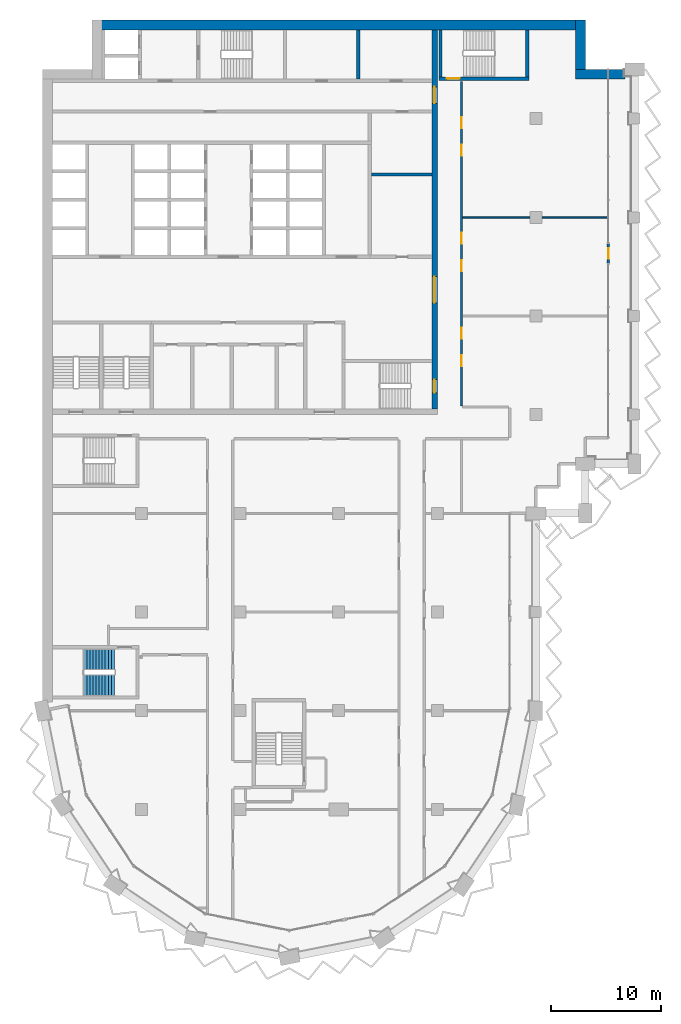
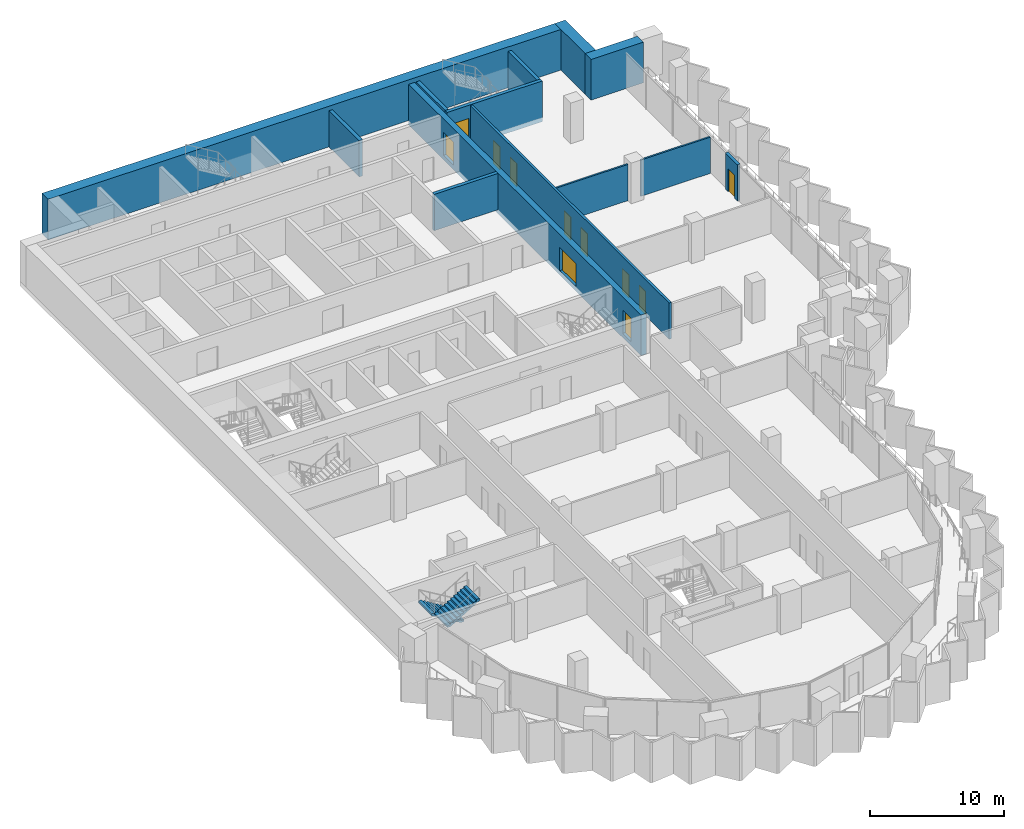
# One storey, part 11 of 17: 13 walls, 11 doors, 2 stair flights, 11 openings, 1 element without a shape of its own.
"""IFC4 building model written with IfcOpenShell, lengths in metres."""

from ifc_helpers import new_model, si_unit, direction, frame, frame_2d, origin, place, context, subcontext, project, spatial, polyline, rectangle, outline, extrude, material, layer, layer_set, type_object, element, fill, aggregate, save


model = new_model("IFC4")

# Units and contexts
model_context = context("Model", 3, precision=1e-05, world=origin(), true_north=direction((0.0, 1.0)))
body_context = subcontext(model_context, "Body", "Model", "MODEL_VIEW")
ifc_project = project(units=[si_unit("LENGTHUNIT", "METRE"), si_unit("AREAUNIT", "SQUARE_METRE"), si_unit("VOLUMEUNIT", "CUBIC_METRE"), si_unit("PLANEANGLEUNIT", "RADIAN"), si_unit("MASSUNIT", "GRAM", prefix="KILO")], contexts=[model_context])

# Site, building, storey
site_placement = place(None, origin())
site = spatial("IfcSite", under=ifc_project, at=site_placement, CompositionType="ELEMENT")
building_placement = place(site_placement, origin())
building = spatial("IfcBuilding", under=site, at=building_placement, Name="Hunhe Ridgeline Campus", CompositionType="ELEMENT")
storey_placement = place(building_placement, frame((0.0, 0.0, 186.5)))
storey = spatial("IfcBuildingStorey", under=building, at=storey_placement, Name="L47", CompositionType="ELEMENT", Elevation=186.5)

# Walls
ifc_material_1 = material(Name="Masonry concrete blockwork", Category="masonry")
ifc_layer_1 = layer(ifc_material_1, 0.300048828125)
ifc_layer_set_1 = layer_set([ifc_layer_1], Name="Core room partition 300 concrete block")
wall_type_1 = type_object("IfcWallType", Name="Core room partition 300 concrete block", PredefinedType="PARTITIONING", material=ifc_layer_set_1)
wall_1_placement = place(storey_placement, frame((30.0, 84.89990234375, 0.0), z_axis=(0.0, 0.0, 1.0), x_axis=(1.0, 0.0, 0.0)))
element("IfcWall", 1, at=wall_1_placement, inside=storey, type_object=wall_type_1, Name="L47 core partition 20", PredefinedType="PARTITIONING", context=body_context, shape_type="SweptSolid", body=[
    extrude(rectangle(XDim=5.5, YDim=0.300048828125, at=frame_2d((2.75, 0.0))), origin(), (0.0, 0.0, 1.0), 3.300048828125),
])
wall_2_placement = place(storey_placement, frame((28.800048828125, 93.60009765625, 0.0), z_axis=(0.0, 0.0, 1.0), x_axis=(0.0, 1.0, 0.0)))
element("IfcWall", 2, at=wall_2_placement, inside=storey, type_object=wall_type_1, Name="L47 core partition 52", PredefinedType="PARTITIONING", context=body_context, shape_type="SweptSolid", body=[
    extrude(rectangle(XDim=4.5, YDim=0.300048828125, at=frame_2d((2.25, 0.0))), origin(), (0.0, 0.0, 1.0), 3.300048828125),
])

# Wall, openings, doors
ifc_material_2 = material(Name="Concrete C60", Category="concrete")
ifc_layer_2 = layer(ifc_material_2, 0.5)
ifc_layer_set_2 = layer_set([ifc_layer_2], Name="Core wall 500 reinforced concrete C60")
wall_type_2 = type_object("IfcWallType", Name="Core wall 500 reinforced concrete C60", PredefinedType="SOLIDWALL", material=ifc_layer_set_2)
wall_3_placement = place(storey_placement, frame((35.75, 63.5, -0.39990234375), z_axis=(0.0, 0.0, 1.0), x_axis=(0.0, 1.0, 0.0)))
wall_3 = element("IfcWall", 3, at=wall_3_placement, inside=storey, type_object=wall_type_2, Name="L47 core wall 55", PredefinedType="SOLIDWALL", context=body_context, shape_type="SweptSolid", body=[
    extrude(rectangle(XDim=34.60009765625, YDim=0.5, at=frame_2d((17.300048828125, 0.0))), origin(), (0.0, 0.0, 1.0), 3.699951171875),
])
opening_1_placement = place(wall_3_placement, frame((9.699951171875, 0.0, 0.39990234375)))
opening_1 = element("IfcOpeningElement", 4, at=opening_1_placement, cuts=wall_3, Name="Opening CD4", PredefinedType="OPENING", context=body_context, shape_type="SweptSolid", body=[
    extrude(rectangle(XDim=2.39990234375, YDim=2.10009765625, at=frame_2d((1.199951171875, 1.050048828125))), frame((0.0, 0.25, 0.0), z_axis=(0.0, -1.0, 0.0), x_axis=(1.0, 0.0, 0.0)), (0.0, 0.0, 1.0), 0.5),
])
opening_2_placement = place(wall_3_placement, frame((27.89990234375, 0.0, 0.39990234375)))
opening_2 = element("IfcOpeningElement", 5, at=opening_2_placement, cuts=wall_3, Name="Opening CD5", PredefinedType="OPENING", context=body_context, shape_type="SweptSolid", body=[
    extrude(rectangle(XDim=1.5, YDim=2.10009765625, at=frame_2d((0.75, 1.050048828125))), frame((0.0, 0.25, 0.0), z_axis=(0.0, -1.0, 0.0), x_axis=(1.0, 0.0, 0.0)), (0.0, 0.0, 1.0), 0.5),
])
opening_3_placement = place(wall_3_placement, frame((1.5, 0.0, 0.39990234375)))
opening_3 = element("IfcOpeningElement", 6, at=opening_3_placement, cuts=wall_3, Name="Opening CD15", PredefinedType="OPENING", context=body_context, shape_type="SweptSolid", body=[
    extrude(rectangle(XDim=1.199951171875, YDim=2.10009765625, at=frame_2d((0.60009765625, 1.050048828125))), frame((0.0, 0.25, 0.0), z_axis=(0.0, -1.0, 0.0), x_axis=(1.0, 0.0, 0.0)), (0.0, 0.0, 1.0), 0.5),
])
ifc_material_3 = material(Name="Anodised aluminium and glass", Category="aluminium")
door_type_1 = type_object("IfcDoorType", Name="Glazed double door 2400x2100", OperationType="DOUBLE_DOOR_SINGLE_SWING", PredefinedType="DOOR", material=ifc_material_3)
door_1_placement = place(opening_1_placement, frame((2.39990234375, 0.0, 0.0), z_axis=(0.0, 0.0, 1.0), x_axis=(-1.0, 0.0, 0.0)))
door_1 = element("IfcDoor", 7, at=door_1_placement, inside=storey, type_object=door_type_1, Name="L47 door HALL-FLOOR", OperationType="DOUBLE_DOOR_SINGLE_SWING", OverallHeight=2.10009765625, OverallWidth=2.39990234375, PredefinedType="DOOR", context=body_context, shape_type="SweptSolid", body=[
    extrude(rectangle(XDim=2.39990234375, YDim=2.10009765625, at=frame_2d((1.199951171875, 1.050048828125))), frame((0.0, 0.02490234375, 0.0), z_axis=(0.0, -1.0, 0.0), x_axis=(1.0, 0.0, 0.0)), (0.0, 0.0, 1.0), 0.050048828125),
])
fill(opening_1, door_1)
ifc_material_4 = material(Name="Hollow metal fire door leaf")
door_type_2 = type_object("IfcDoorType", Name="Stair door 1200x2100 FD60", OperationType="SINGLE_SWING_LEFT", PredefinedType="DOOR", material=ifc_material_4)
door_2_placement = place(opening_3_placement, frame((1.199951171875, 0.0, 0.0), z_axis=(0.0, 0.0, 1.0), x_axis=(-1.0, 0.0, 0.0)))
door_2 = element("IfcDoor", 8, at=door_2_placement, inside=storey, type_object=door_type_2, Name="L47 door S2-FLOOR", OperationType="SINGLE_SWING_LEFT", OverallHeight=2.10009765625, OverallWidth=1.199951171875, PredefinedType="DOOR", context=body_context, shape_type="SweptSolid", body=[
    extrude(rectangle(XDim=1.199951171875, YDim=2.10009765625, at=frame_2d((0.60009765625, 1.050048828125))), frame((0.0, 0.02490234375, 0.0), z_axis=(0.0, -1.0, 0.0), x_axis=(1.0, 0.0, 0.0)), (0.0, 0.0, 1.0), 0.050048828125),
])
fill(opening_3, door_2)
ifc_material_5 = material(Name="Solid core timber door leaf", Category="wood")
door_type_3 = type_object("IfcDoorType", Name="Timber door 1500x2100", OperationType="SINGLE_SWING_LEFT", PredefinedType="DOOR", material=ifc_material_5)
door_3_placement = place(opening_2_placement, frame((1.5, 0.0, 0.0), z_axis=(0.0, 0.0, 1.0), x_axis=(-1.0, 0.0, 0.0)))
door_3 = element("IfcDoor", 9, at=door_3_placement, inside=storey, type_object=door_type_3, Name="L47 door C1-FLOOR", OperationType="SINGLE_SWING_LEFT", OverallHeight=2.10009765625, OverallWidth=1.5, PredefinedType="DOOR", context=body_context, shape_type="SweptSolid", body=[
    extrude(rectangle(XDim=1.5, YDim=2.10009765625, at=frame_2d((0.75, 1.050048828125))), frame((0.0, 0.02490234375, 0.0), z_axis=(0.0, -1.0, 0.0), x_axis=(1.0, 0.0, 0.0)), (0.0, 0.0, 1.0), 0.050048828125),
])
fill(opening_2, door_3)

ifc_material_6 = material(Name="Gypsum board partition")
ifc_layer_3 = layer(ifc_material_6, 0.199951171875)
ifc_layer_set_3 = layer_set([ifc_layer_3], Name="Corridor partition 200 gypsum board on steel studs")
wall_type_3 = type_object("IfcWallType", Name="Corridor partition 200 gypsum board on steel studs", PredefinedType="PARTITIONING", material=ifc_layer_set_3)
wall_4_placement = place(storey_placement, frame((38.199951171875, 93.39599609375, 0.0), z_axis=(0.0, 0.0, 1.0), x_axis=(0.0, -1.0, 0.0)))
wall_4 = element("IfcWall", 10, at=wall_4_placement, inside=storey, type_object=wall_type_3, Name="F-L47-wall-047", PredefinedType="PARTITIONING", context=body_context, shape_type="SweptSolid", body=[
    extrude(rectangle(XDim=29.595947265625, YDim=0.199951171875, at=frame_2d((14.7978515625, 0.0))), origin(), (0.0, 0.0, 1.0), 3.300048828125),
])
opening_4_placement = place(wall_4_placement, frame((24.95751953125, 0.0, 0.0)))
opening_4 = element("IfcOpeningElement", 11, at=opening_4_placement, cuts=wall_4, Name="Opening RD1-022", PredefinedType="OPENING", context=body_context, shape_type="SweptSolid", body=[
    extrude(rectangle(XDim=1.0, YDim=2.10009765625, at=frame_2d((0.5, 1.050048828125))), frame((0.0, 0.10009765625, 0.0), z_axis=(0.0, -1.0, 0.0), x_axis=(1.0, 0.0, 0.0)), (0.0, 0.0, 1.0), 0.199951171875),
])
opening_5_placement = place(wall_4_placement, frame((22.45751953125, 0.0, 0.0)))
opening_5 = element("IfcOpeningElement", 12, at=opening_5_placement, cuts=wall_4, Name="Opening RD1-023", PredefinedType="OPENING", context=body_context, shape_type="SweptSolid", body=[
    extrude(rectangle(XDim=1.0, YDim=2.10009765625, at=frame_2d((0.5, 1.050048828125))), frame((0.0, 0.10009765625, 0.0), z_axis=(0.0, -1.0, 0.0), x_axis=(1.0, 0.0, 0.0)), (0.0, 0.0, 1.0), 0.199951171875),
])
opening_6_placement = place(wall_4_placement, frame((16.304443359375, 0.0, 0.0)))
opening_6 = element("IfcOpeningElement", 13, at=opening_6_placement, cuts=wall_4, Name="Opening RD1-024", PredefinedType="OPENING", context=body_context, shape_type="SweptSolid", body=[
    extrude(rectangle(XDim=1.0, YDim=2.10009765625, at=frame_2d((0.5, 1.050048828125))), frame((0.0, 0.10009765625, 0.0), z_axis=(0.0, -1.0, 0.0), x_axis=(1.0, 0.0, 0.0)), (0.0, 0.0, 1.0), 0.199951171875),
])
opening_7_placement = place(wall_4_placement, frame((13.804443359375, 0.0, 0.0)))
opening_7 = element("IfcOpeningElement", 14, at=opening_7_placement, cuts=wall_4, Name="Opening RD1-025", PredefinedType="OPENING", context=body_context, shape_type="SweptSolid", body=[
    extrude(rectangle(XDim=1.0, YDim=2.10009765625, at=frame_2d((0.5, 1.050048828125))), frame((0.0, 0.10009765625, 0.0), z_axis=(0.0, -1.0, 0.0), x_axis=(1.0, 0.0, 0.0)), (0.0, 0.0, 1.0), 0.199951171875),
])
opening_8_placement = place(wall_4_placement, frame((5.770263671875, 0.0, 0.0)))
opening_8 = element("IfcOpeningElement", 15, at=opening_8_placement, cuts=wall_4, Name="Opening RD1-026", PredefinedType="OPENING", context=body_context, shape_type="SweptSolid", body=[
    extrude(rectangle(XDim=1.0, YDim=2.10009765625, at=frame_2d((0.5, 1.050048828125))), frame((0.0, 0.10009765625, 0.0), z_axis=(0.0, -1.0, 0.0), x_axis=(1.0, 0.0, 0.0)), (0.0, 0.0, 1.0), 0.199951171875),
])
opening_9_placement = place(wall_4_placement, frame((3.270263671875, 0.0, 0.0)))
opening_9 = element("IfcOpeningElement", 16, at=opening_9_placement, cuts=wall_4, Name="Opening RD1-027", PredefinedType="OPENING", context=body_context, shape_type="SweptSolid", body=[
    extrude(rectangle(XDim=1.0, YDim=2.10009765625, at=frame_2d((0.5, 1.050048828125))), frame((0.0, 0.10009765625, 0.0), z_axis=(0.0, -1.0, 0.0), x_axis=(1.0, 0.0, 0.0)), (0.0, 0.0, 1.0), 0.199951171875),
])
ifc_material_7 = material(Name="Timber door leaf", Category="wood")
door_type_4 = type_object("IfcDoorType", Name="Single fire door 1000x2100 timber FD60", OperationType="NOTDEFINED", PredefinedType="DOOR", material=ifc_material_7)
door_4_placement = place(opening_4_placement, frame((1.0, 0.0, 0.0), z_axis=(0.0, 0.0, 1.0), x_axis=(-1.0, 0.0, 0.0)))
door_4 = element("IfcDoor", 17, at=door_4_placement, inside=storey, type_object=door_type_4, Name="F-L47-door-022", OperationType="SINGLE_SWING_LEFT", OverallHeight=2.10009765625, OverallWidth=1.0, PredefinedType="DOOR", context=body_context, shape_type="SweptSolid", body=[
    extrude(rectangle(XDim=1.0, YDim=2.10009765625, at=frame_2d((0.5, 1.050048828125))), frame((0.0, 0.02490234375, 0.0), z_axis=(0.0, -1.0, 0.0), x_axis=(1.0, 0.0, 0.0)), (0.0, 0.0, 1.0), 0.050048828125),
])
fill(opening_4, door_4)
door_5_placement = place(opening_5_placement, frame((1.0, 0.0, 0.0), z_axis=(0.0, 0.0, 1.0), x_axis=(-1.0, 0.0, 0.0)))
door_5 = element("IfcDoor", 18, at=door_5_placement, inside=storey, type_object=door_type_4, Name="F-L47-door-023", OperationType="SINGLE_SWING_RIGHT", OverallHeight=2.10009765625, OverallWidth=1.0, PredefinedType="DOOR", context=body_context, shape_type="SweptSolid", body=[
    extrude(rectangle(XDim=1.0, YDim=2.10009765625, at=frame_2d((0.5, 1.050048828125))), frame((0.0, 0.02490234375, 0.0), z_axis=(0.0, -1.0, 0.0), x_axis=(1.0, 0.0, 0.0)), (0.0, 0.0, 1.0), 0.050048828125),
])
fill(opening_5, door_5)
door_6_placement = place(opening_6_placement, frame((1.0, 0.0, 0.0), z_axis=(0.0, 0.0, 1.0), x_axis=(-1.0, 0.0, 0.0)))
door_6 = element("IfcDoor", 19, at=door_6_placement, inside=storey, type_object=door_type_4, Name="F-L47-door-024", OperationType="SINGLE_SWING_RIGHT", OverallHeight=2.10009765625, OverallWidth=1.0, PredefinedType="DOOR", context=body_context, shape_type="SweptSolid", body=[
    extrude(rectangle(XDim=1.0, YDim=2.10009765625, at=frame_2d((0.5, 1.050048828125))), frame((0.0, 0.02490234375, 0.0), z_axis=(0.0, -1.0, 0.0), x_axis=(1.0, 0.0, 0.0)), (0.0, 0.0, 1.0), 0.050048828125),
])
fill(opening_6, door_6)
door_7_placement = place(opening_7_placement, frame((1.0, 0.0, 0.0), z_axis=(0.0, 0.0, 1.0), x_axis=(-1.0, 0.0, 0.0)))
door_7 = element("IfcDoor", 20, at=door_7_placement, inside=storey, type_object=door_type_4, Name="F-L47-door-025", OperationType="SINGLE_SWING_RIGHT", OverallHeight=2.10009765625, OverallWidth=1.0, PredefinedType="DOOR", context=body_context, shape_type="SweptSolid", body=[
    extrude(rectangle(XDim=1.0, YDim=2.10009765625, at=frame_2d((0.5, 1.050048828125))), frame((0.0, 0.02490234375, 0.0), z_axis=(0.0, -1.0, 0.0), x_axis=(1.0, 0.0, 0.0)), (0.0, 0.0, 1.0), 0.050048828125),
])
fill(opening_7, door_7)
door_8_placement = place(opening_8_placement, frame((1.0, 0.0, 0.0), z_axis=(0.0, 0.0, 1.0), x_axis=(-1.0, 0.0, 0.0)))
door_8 = element("IfcDoor", 21, at=door_8_placement, inside=storey, type_object=door_type_4, Name="F-L47-door-026", OperationType="SINGLE_SWING_RIGHT", OverallHeight=2.10009765625, OverallWidth=1.0, PredefinedType="DOOR", context=body_context, shape_type="SweptSolid", body=[
    extrude(rectangle(XDim=1.0, YDim=2.10009765625, at=frame_2d((0.5, 1.050048828125))), frame((0.0, 0.02490234375, 0.0), z_axis=(0.0, -1.0, 0.0), x_axis=(1.0, 0.0, 0.0)), (0.0, 0.0, 1.0), 0.050048828125),
])
fill(opening_8, door_8)
door_9_placement = place(opening_9_placement, frame((1.0, 0.0, 0.0), z_axis=(0.0, 0.0, 1.0), x_axis=(-1.0, 0.0, 0.0)))
door_9 = element("IfcDoor", 22, at=door_9_placement, inside=storey, type_object=door_type_4, Name="F-L47-door-027", OperationType="SINGLE_SWING_RIGHT", OverallHeight=2.10009765625, OverallWidth=1.0, PredefinedType="DOOR", context=body_context, shape_type="SweptSolid", body=[
    extrude(rectangle(XDim=1.0, YDim=2.10009765625, at=frame_2d((0.5, 1.050048828125))), frame((0.0, 0.02490234375, 0.0), z_axis=(0.0, -1.0, 0.0), x_axis=(1.0, 0.0, 0.0)), (0.0, 0.0, 1.0), 0.050048828125),
])
fill(opening_9, door_9)

# Wall, opening, door
ifc_material_8 = material(Name="Concrete C30", Category="concrete")
ifc_layer_4 = layer(ifc_material_8, 0.25)
ifc_layer_set_4 = layer_set([ifc_layer_4], Name="Loggia door pier wall 250 Concrete C30")
wall_type_4 = type_object("IfcWallType", Name="Loggia door pier wall 250 Concrete C30", PredefinedType="SOLIDWALL", material=ifc_layer_set_4)
wall_5_placement = place(storey_placement, frame((51.59912109375, 76.800537109375, 0.0), z_axis=(0.0, 0.0, 1.0), x_axis=(0.0, 1.0, 0.0)))
wall_5 = element("IfcWall", 23, at=wall_5_placement, inside=storey, type_object=wall_type_4, Name="Loggia door pier 4", PredefinedType="SOLIDWALL", context=body_context, shape_type="SweptSolid", body=[
    extrude(rectangle(XDim=1.800048828125, YDim=0.25, at=frame_2d((0.89990234375, 0.0))), origin(), (0.0, 0.0, 1.0), 3.300048828125),
])
opening_10_placement = place(wall_5_placement, frame((0.39990234375, 0.0, 0.0)))
opening_10 = element("IfcOpeningElement", 24, at=opening_10_placement, cuts=wall_5, Name="Opening BD406", PredefinedType="OPENING", context=body_context, shape_type="SweptSolid", body=[
    extrude(rectangle(XDim=1.0, YDim=2.10009765625, at=frame_2d((0.5, 1.050048828125))), frame((0.0, 0.125, 0.0), z_axis=(0.0, -1.0, 0.0), x_axis=(1.0, 0.0, 0.0)), (0.0, 0.0, 1.0), 0.25),
])
ifc_material_9 = material(Name="Aluminium 6063", Category="aluminium")
door_type_5 = type_object("IfcDoorType", Name="Loggia glazed door 1000x2100", OperationType="NOTDEFINED", PredefinedType="DOOR", material=ifc_material_9)
door_10_placement = place(opening_10_placement, frame((1.0, 0.0, 0.0), z_axis=(0.0, 0.0, 1.0), x_axis=(-1.0, 0.0, 0.0)))
door_10 = element("IfcDoor", 25, at=door_10_placement, inside=storey, type_object=door_type_5, Name="Loggia door BD406", OperationType="SINGLE_SWING_LEFT", OverallHeight=2.10009765625, OverallWidth=1.0, PredefinedType="DOOR", context=body_context, shape_type="SweptSolid", body=[
    extrude(rectangle(XDim=1.0, YDim=2.10009765625, at=frame_2d((0.5, 1.050048828125))), frame((0.0, 0.02490234375, 0.0), z_axis=(0.0, -1.0, 0.0), x_axis=(1.0, 0.0, 0.0)), (0.0, 0.0, 1.0), 0.050048828125),
])
fill(opening_10, door_10)

# Walls
ifc_layer_5 = layer(ifc_material_6, 0.14990234375)
ifc_layer_set_5 = layer_set([ifc_layer_5], Name="Room partition 150 gypsum board on steel studs")
wall_type_5 = type_object("IfcWallType", Name="Room partition 150 gypsum board on steel studs", PredefinedType="PARTITIONING", material=ifc_layer_set_5)
wall_6_placement = place(storey_placement, frame((38.300048828125, 81.0, 0.0), z_axis=(0.0, 0.0, 1.0), x_axis=(1.0, 0.0, 0.0)))
element("IfcWall", 26, at=wall_6_placement, inside=storey, type_object=wall_type_5, Name="F-L47-wall-033", PredefinedType="PARTITIONING", context=body_context, shape_type="SweptSolid", body=[
    extrude(rectangle(XDim=6.14990234375, YDim=0.14990234375, at=frame_2d((3.074951171875, 0.0))), origin(), (0.0, 0.0, 1.0), 3.300048828125),
])
wall_7_placement = place(storey_placement, frame((45.550048828125, 81.0, 0.0), z_axis=(0.0, 0.0, 1.0), x_axis=(1.0, 0.0, 0.0)))
element("IfcWall", 27, at=wall_7_placement, inside=storey, type_object=wall_type_5, Name="F-L47-wall-034", PredefinedType="PARTITIONING", context=body_context, shape_type="SweptSolid", body=[
    extrude(rectangle(XDim=5.994873046875, YDim=0.14990234375, at=frame_2d((2.99755859375, 0.0))), origin(), (0.0, 0.0, 1.0), 3.300048828125),
])
ifc_layer_6 = layer(ifc_material_2, 0.89990234375)
ifc_layer_set_6 = layer_set([ifc_layer_6], Name="Spine wall 900 Concrete C60")
wall_type_6 = type_object("IfcWallType", Name="Spine wall 900 Concrete C60", PredefinedType="SHEAR", material=ifc_layer_set_6)
wall_8_placement = place(storey_placement, frame((53.10009765625, 94.050048828125, 0.0), z_axis=(0.0, 0.0, 1.0), x_axis=(-1.0, 0.0, 0.0)))
element("IfcWall", 28, at=wall_8_placement, inside=storey, type_object=wall_type_6, Name="Spine wall SW3-2 L47", PredefinedType="SHEAR", context=body_context, shape_type="SweptSolid", body=[
    extrude(rectangle(XDim=4.5, YDim=0.89990234375, at=frame_2d((2.25, 0.0))), origin(), (0.0, 0.0, 1.0), 3.699951171875),
])
wall_9_placement = place(storey_placement, frame((49.050048828125, 93.60009765625, 0.0), z_axis=(0.0, 0.0, 1.0), x_axis=(0.0, 1.0, 0.0)))
element("IfcWall", 29, at=wall_9_placement, inside=storey, type_object=wall_type_6, Name="Spine wall SW3-3 L47", PredefinedType="SHEAR", context=body_context, shape_type="SweptSolid", body=[
    extrude(rectangle(XDim=5.39990234375, YDim=0.89990234375, at=frame_2d((2.699951171875, 0.0))), origin(), (0.0, 0.0, 1.0), 3.699951171875),
])
wall_10_placement = place(storey_placement, frame((49.5, 98.550048828125, 0.0), z_axis=(0.0, 0.0, 1.0), x_axis=(-1.0, 0.0, 0.0)))
element("IfcWall", 30, at=wall_10_placement, inside=storey, type_object=wall_type_6, Name="Spine wall SW3-4 L47", PredefinedType="SHEAR", context=body_context, shape_type="SweptSolid", body=[
    extrude(rectangle(XDim=45.0, YDim=0.89990234375, at=frame_2d((22.5, 0.0))), origin(), (0.0, 0.0, 1.0), 3.699951171875),
])

# Wall, opening, door
ifc_layer_7 = layer(ifc_material_2, 0.300048828125)
ifc_layer_set_7 = layer_set([ifc_layer_7], Name="Stair wall 300 reinforced concrete C60")
wall_type_7 = type_object("IfcWallType", Name="Stair wall 300 reinforced concrete C60", PredefinedType="SOLIDWALL", material=ifc_layer_set_7)
wall_11_placement = place(storey_placement, frame((36.14990234375, 93.64990234375, -0.39990234375), z_axis=(0.0, 0.0, 1.0), x_axis=(1.0, 0.0, 0.0)))
wall_11 = element("IfcWall", 31, at=wall_11_placement, inside=storey, type_object=wall_type_7, Name="L47 core wall 27", PredefinedType="SOLIDWALL", context=body_context, shape_type="SweptSolid", body=[
    extrude(rectangle(XDim=8.2001953125, YDim=0.300048828125, at=frame_2d((4.10009765625, 0.0))), origin(), (0.0, 0.0, 1.0), 3.699951171875),
])
opening_11_placement = place(wall_11_placement, frame((0.699951171875, 0.0, 0.39990234375)))
opening_11 = element("IfcOpeningElement", 32, at=opening_11_placement, cuts=wall_11, Name="Opening CD17", PredefinedType="OPENING", context=body_context, shape_type="SweptSolid", body=[
    extrude(rectangle(XDim=1.199951171875, YDim=2.10009765625, at=frame_2d((0.60009765625, 1.050048828125))), frame((0.0, 0.14990234375, 0.0), z_axis=(0.0, -1.0, 0.0), x_axis=(1.0, 0.0, 0.0)), (0.0, 0.0, 1.0), 0.300048828125),
])
door_11_placement = place(opening_11_placement, frame((1.199951171875, 0.0, 0.0), z_axis=(0.0, 0.0, 1.0), x_axis=(-1.0, 0.0, 0.0)))
door_11 = element("IfcDoor", 33, at=door_11_placement, inside=storey, type_object=door_type_2, Name="L47 door E1", OperationType="SINGLE_SWING_LEFT", OverallHeight=2.10009765625, OverallWidth=1.199951171875, PredefinedType="DOOR", context=body_context, shape_type="SweptSolid", body=[
    extrude(rectangle(XDim=1.199951171875, YDim=2.10009765625, at=frame_2d((0.60009765625, 1.050048828125))), frame((0.0, 0.02490234375, 0.0), z_axis=(0.0, -1.0, 0.0), x_axis=(1.0, 0.0, 0.0)), (0.0, 0.0, 1.0), 0.050048828125),
])
fill(opening_11, door_11)

# Walls
for number, where, z_axis, x_axis, name in (
    (34, (36.300048828125, 93.800048828125, -0.39990234375), (0.0, 0.0, 1.0), (0.0, 1.0, 0.0), "L47 core wall 56"),
    (35, (44.199951171875, 93.800048828125, -0.39990234375), (0.0, 0.0, 1.0), (0.0, 1.0, 0.0), "L47 core wall 57"),
):
    element("IfcWall", number, at=place(storey_placement, frame(where, z_axis=z_axis, x_axis=x_axis)), inside=storey, type_object=wall_type_7, Name=name, PredefinedType="SOLIDWALL", context=body_context, shape_type="SweptSolid", body=[
        extrude(rectangle(XDim=4.300048828125, YDim=0.300048828125, at=frame_2d((2.14990234375, 0.0))), origin(), (0.0, 0.0, 1.0), 3.699951171875),
    ])

# Stair, stair flights
ifc_material_10 = material(Name="Concrete C40", Category="concrete")
stair_type = type_object("IfcStairType", Name="Reinforced concrete dog-leg stair 1950 Concrete C40", PredefinedType="HALF_TURN_STAIR", material=ifc_material_10)
stair_placement = place(storey_placement, origin())
stair = element("IfcStair", 36, at=stair_placement, inside=storey, type_object=stair_type, Name="L47 W1", PredefinedType="HALF_TURN_STAIR")
stair_flight_type = type_object("IfcStairFlightType", Name="Reinforced concrete stair flight 1950 Concrete C40", PredefinedType="STRAIGHT", material=ifc_material_10)
stair_flight_1_placement = place(storey_placement, frame((6.550048828125, 40.675048828125, 0.0), z_axis=(0.0, 0.0, 1.0), x_axis=(-1.0, 0.0, 0.0)))
stair_flight_1 = element("IfcStairFlight", 37, at=stair_flight_1_placement, type_object=stair_flight_type, Name="ST11 flight 1", NumberOfRisers=11, NumberOfTreads=10, PredefinedType="STRAIGHT", RiserHeight=0.168181818, TreadLength=0.28, context=body_context, shape_type="SweptSolid", body=[
    extrude(outline(polyline([(0.0, 0.0), (0.0, 0.168212890625), (0.280029296875, 0.168212890625), (0.280029296875, 0.33642578125), (0.56005859375, 0.33642578125), (0.56005859375, 0.504638671875), (0.840087890625, 0.504638671875), (0.840087890625, 0.672607421875), (1.1201171875, 0.672607421875), (1.1201171875, 0.8408203125), (1.39990234375, 0.8408203125), (1.39990234375, 1.009033203125), (1.679931640625, 1.009033203125), (1.679931640625, 1.17724609375), (1.9599609375, 1.17724609375), (1.9599609375, 1.345458984375), (2.239990234375, 1.345458984375), (2.239990234375, 1.513671875), (2.52001953125, 1.513671875), (2.52001953125, 1.681884765625), (2.800048828125, 1.681884765625), (2.800048828125, 1.85009765625), (2.800048828125, 1.5068359375), (0.291015625, 0.0), (0.0, 0.0)])), frame((0.0, 0.97509765625, 0.0), z_axis=(0.0, -1.0, 0.0), x_axis=(1.0, 0.0, 0.0)), (0.0, 0.0, 1.0), 1.949951171875),
    extrude(outline(polyline([(0.030029296875, 0.030029296875), (0.030029296875, 0.13818359375), (0.31005859375, 0.13818359375), (0.31005859375, 0.306396484375), (0.590087890625, 0.306396484375), (0.590087890625, 0.474609375), (0.8701171875, 0.474609375), (0.8701171875, 0.642578125), (1.14990234375, 0.642578125), (1.14990234375, 0.810791015625), (1.429931640625, 0.810791015625), (1.429931640625, 0.97900390625), (1.7099609375, 0.97900390625), (1.7099609375, 1.147216796875), (1.989990234375, 1.147216796875), (1.989990234375, 1.3154296875), (2.27001953125, 1.3154296875), (2.27001953125, 1.483642578125), (2.550048828125, 1.483642578125), (2.550048828125, 1.65185546875), (2.77001953125, 1.65185546875), (2.77001953125, 1.52392578125), (0.28271484375, 0.030029296875), (0.030029296875, 0.030029296875)])), frame((0.0, -0.070068359375, 0.0), z_axis=(0.0, -1.0, 0.0), x_axis=(1.0, 0.0, 0.0)), (0.0, 0.0, 1.0), 0.019775390625),
    extrude(outline(polyline([(0.030029296875, 0.030029296875), (0.030029296875, 0.13818359375), (0.31005859375, 0.13818359375), (0.31005859375, 0.306396484375), (0.590087890625, 0.306396484375), (0.590087890625, 0.474609375), (0.8701171875, 0.474609375), (0.8701171875, 0.642578125), (1.14990234375, 0.642578125), (1.14990234375, 0.810791015625), (1.429931640625, 0.810791015625), (1.429931640625, 0.97900390625), (1.7099609375, 0.97900390625), (1.7099609375, 1.147216796875), (1.989990234375, 1.147216796875), (1.989990234375, 1.3154296875), (2.27001953125, 1.3154296875), (2.27001953125, 1.483642578125), (2.550048828125, 1.483642578125), (2.550048828125, 1.65185546875), (2.77001953125, 1.65185546875), (2.77001953125, 1.52392578125), (0.28271484375, 0.030029296875), (0.030029296875, 0.030029296875)])), frame((0.0, 0.010009765625, 0.0), z_axis=(0.0, -1.0, 0.0), x_axis=(1.0, 0.0, 0.0)), (0.0, 0.0, 1.0), 0.019775390625),
    extrude(outline(polyline([(0.030029296875, 0.030029296875), (0.030029296875, 0.13818359375), (0.31005859375, 0.13818359375), (0.31005859375, 0.306396484375), (0.590087890625, 0.306396484375), (0.590087890625, 0.474609375), (0.8701171875, 0.474609375), (0.8701171875, 0.642578125), (1.14990234375, 0.642578125), (1.14990234375, 0.810791015625), (1.429931640625, 0.810791015625), (1.429931640625, 0.97900390625), (1.7099609375, 0.97900390625), (1.7099609375, 1.147216796875), (1.989990234375, 1.147216796875), (1.989990234375, 1.3154296875), (2.27001953125, 1.3154296875), (2.27001953125, 1.483642578125), (2.550048828125, 1.483642578125), (2.550048828125, 1.65185546875), (2.77001953125, 1.65185546875), (2.77001953125, 1.52392578125), (0.28271484375, 0.030029296875), (0.030029296875, 0.030029296875)])), frame((0.0, 0.090087890625, 0.0), z_axis=(0.0, -1.0, 0.0), x_axis=(1.0, 0.0, 0.0)), (0.0, 0.0, 1.0), 0.019775390625),
])
stair_flight_2_placement = place(storey_placement, frame((3.75, 38.324951171875, 1.85009765625), z_axis=(0.0, 0.0, 1.0), x_axis=(1.0, 0.0, 0.0)))
stair_flight_2 = element("IfcStairFlight", 38, at=stair_flight_2_placement, type_object=stair_flight_type, Name="ST11 flight 2", NumberOfRisers=11, NumberOfTreads=10, PredefinedType="STRAIGHT", RiserHeight=0.168181818, TreadLength=0.28, context=body_context, shape_type="SweptSolid", body=[
    extrude(outline(polyline([(0.0, 0.0), (0.0, 0.168212890625), (0.280029296875, 0.168212890625), (0.280029296875, 0.33642578125), (0.56005859375, 0.33642578125), (0.56005859375, 0.504638671875), (0.840087890625, 0.504638671875), (0.840087890625, 0.672607421875), (1.1201171875, 0.672607421875), (1.1201171875, 0.8408203125), (1.39990234375, 0.8408203125), (1.39990234375, 1.009033203125), (1.679931640625, 1.009033203125), (1.679931640625, 1.17724609375), (1.9599609375, 1.17724609375), (1.9599609375, 1.345458984375), (2.239990234375, 1.345458984375), (2.239990234375, 1.513671875), (2.52001953125, 1.513671875), (2.52001953125, 1.681884765625), (2.800048828125, 1.681884765625), (2.800048828125, 1.85009765625), (2.800048828125, 1.5068359375), (0.291015625, 0.0), (0.0, 0.0)])), frame((0.0, 0.97509765625, 0.0), z_axis=(0.0, -1.0, 0.0), x_axis=(1.0, 0.0, 0.0)), (0.0, 0.0, 1.0), 1.949951171875),
    extrude(outline(polyline([(0.030029296875, 0.030029296875), (0.030029296875, 0.13818359375), (0.31005859375, 0.13818359375), (0.31005859375, 0.306396484375), (0.590087890625, 0.306396484375), (0.590087890625, 0.474609375), (0.8701171875, 0.474609375), (0.8701171875, 0.642578125), (1.14990234375, 0.642578125), (1.14990234375, 0.810791015625), (1.429931640625, 0.810791015625), (1.429931640625, 0.97900390625), (1.7099609375, 0.97900390625), (1.7099609375, 1.147216796875), (1.989990234375, 1.147216796875), (1.989990234375, 1.3154296875), (2.27001953125, 1.3154296875), (2.27001953125, 1.483642578125), (2.550048828125, 1.483642578125), (2.550048828125, 1.65185546875), (2.77001953125, 1.65185546875), (2.77001953125, 1.52392578125), (0.28271484375, 0.030029296875), (0.030029296875, 0.030029296875)])), frame((0.0, -0.070068359375, 0.0), z_axis=(0.0, -1.0, 0.0), x_axis=(1.0, 0.0, 0.0)), (0.0, 0.0, 1.0), 0.019775390625),
    extrude(outline(polyline([(0.030029296875, 0.030029296875), (0.030029296875, 0.13818359375), (0.31005859375, 0.13818359375), (0.31005859375, 0.306396484375), (0.590087890625, 0.306396484375), (0.590087890625, 0.474609375), (0.8701171875, 0.474609375), (0.8701171875, 0.642578125), (1.14990234375, 0.642578125), (1.14990234375, 0.810791015625), (1.429931640625, 0.810791015625), (1.429931640625, 0.97900390625), (1.7099609375, 0.97900390625), (1.7099609375, 1.147216796875), (1.989990234375, 1.147216796875), (1.989990234375, 1.3154296875), (2.27001953125, 1.3154296875), (2.27001953125, 1.483642578125), (2.550048828125, 1.483642578125), (2.550048828125, 1.65185546875), (2.77001953125, 1.65185546875), (2.77001953125, 1.52392578125), (0.28271484375, 0.030029296875), (0.030029296875, 0.030029296875)])), frame((0.0, 0.010009765625, 0.0), z_axis=(0.0, -1.0, 0.0), x_axis=(1.0, 0.0, 0.0)), (0.0, 0.0, 1.0), 0.019775390625),
    extrude(outline(polyline([(0.030029296875, 0.030029296875), (0.030029296875, 0.13818359375), (0.31005859375, 0.13818359375), (0.31005859375, 0.306396484375), (0.590087890625, 0.306396484375), (0.590087890625, 0.474609375), (0.8701171875, 0.474609375), (0.8701171875, 0.642578125), (1.14990234375, 0.642578125), (1.14990234375, 0.810791015625), (1.429931640625, 0.810791015625), (1.429931640625, 0.97900390625), (1.7099609375, 0.97900390625), (1.7099609375, 1.147216796875), (1.989990234375, 1.147216796875), (1.989990234375, 1.3154296875), (2.27001953125, 1.3154296875), (2.27001953125, 1.483642578125), (2.550048828125, 1.483642578125), (2.550048828125, 1.65185546875), (2.77001953125, 1.65185546875), (2.77001953125, 1.52392578125), (0.28271484375, 0.030029296875), (0.030029296875, 0.030029296875)])), frame((0.0, 0.090087890625, 0.0), z_axis=(0.0, -1.0, 0.0), x_axis=(1.0, 0.0, 0.0)), (0.0, 0.0, 1.0), 0.019775390625),
])
aggregate(stair, [stair_flight_1, stair_flight_2])

save(model, "model.ifc")
